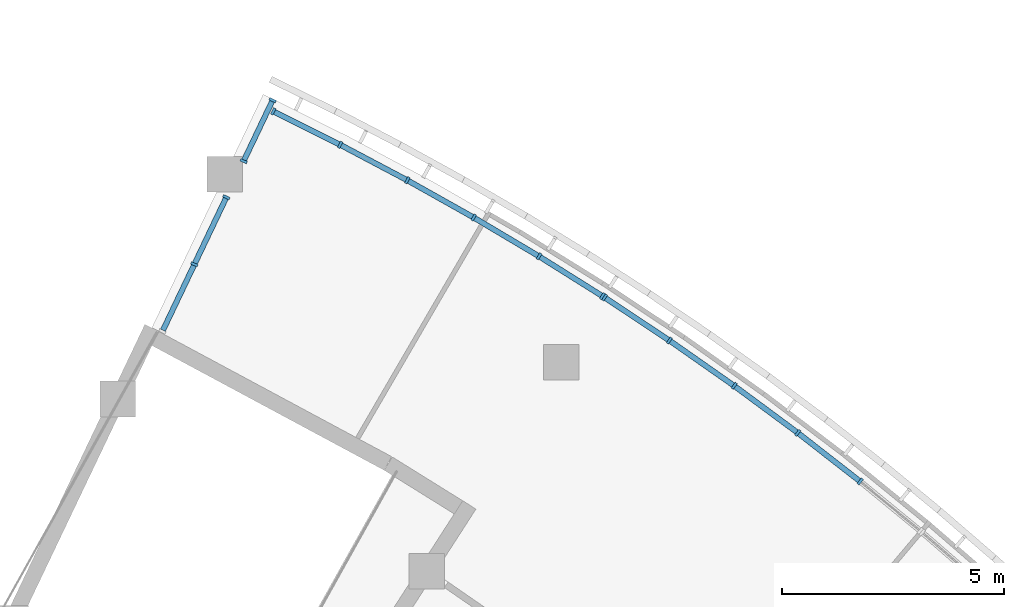
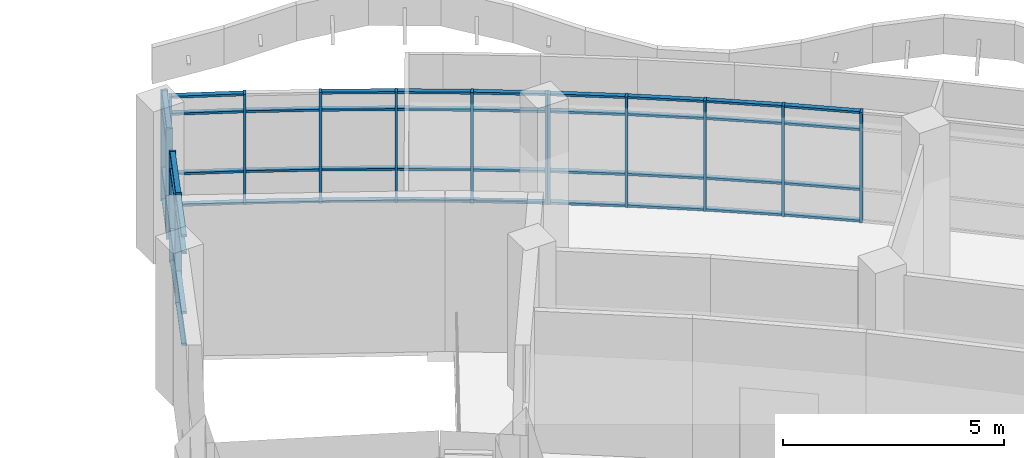
# One storey, part 15 of 137: 62 members, 4 elements without a shape of their own.
"""IFC4 building model written with IfcOpenShell, lengths in metres."""

from ifc_helpers import new_model, si_unit, direction, frame, origin, origin_2d, place, context, subcontext, project, spatial, rectangle, extrude, material, material_profile, profile_set, type_object, element, aggregate, save


model = new_model("IFC4")

# Units and contexts
model_context = context("Model", 3, precision=1e-05, world=origin(), true_north=direction((0.0, 1.0)))
body_context = subcontext(model_context, "Body", "Model", "MODEL_VIEW")
ifc_project = project(units=[si_unit("LENGTHUNIT", "METRE"), si_unit("AREAUNIT", "SQUARE_METRE"), si_unit("VOLUMEUNIT", "CUBIC_METRE"), si_unit("PLANEANGLEUNIT", "RADIAN"), si_unit("MASSUNIT", "GRAM", prefix="KILO")], contexts=[model_context])

# Site, building, storey
site_placement = place(None, origin())
site = spatial("IfcSite", under=ifc_project, at=site_placement, CompositionType="ELEMENT")
building_placement = place(site_placement, origin())
building = spatial("IfcBuilding", under=site, at=building_placement, Name="Bougainvillea Quay General Hospital", CompositionType="ELEMENT")
storey_placement = place(building_placement, frame((0.0, 0.0, 16.800048828125)))
storey = spatial("IfcBuildingStorey", under=building, at=storey_placement, Name="L03", CompositionType="ELEMENT", Elevation=16.800048828125)

# Curtain wall, members
ifc_material_1 = material(Name="Aluminium curtain wall system, powder-coated glazed", Category="aluminium")
curtain_wall_type_1 = type_object("IfcCurtainWallType", Name="Unitised curtain wall CW-2100", PredefinedType="NOTDEFINED", material=ifc_material_1)
curtain_wall_1_placement = place(storey_placement, origin())
curtain_wall_1 = element("IfcCurtainWall", 1, at=curtain_wall_1_placement, inside=storey, type_object=curtain_wall_type_1, Name="CW-E01 a10b0", PredefinedType="NOTDEFINED")
ifc_material_2 = material(Name="Aluminium mullion, powder-coated charcoal", Category="aluminium")
ifc_material_profile_1 = material_profile(ifc_material_2, rectangle(XDim=0.159912109375, YDim=0.06005859375, at=origin_2d()))
ifc_profile_set_1 = profile_set([ifc_material_profile_1], Name="Aluminium mullion, powder-coated charcoal")
member_type_1 = type_object("IfcMemberType", Name="Curtain wall mullion 160x60", PredefinedType="MULLION", material=ifc_profile_set_1)
member_1_placement = place(storey_placement, frame((139.560791015625, 84.795654296875, 0.0), z_axis=(0.0, 0.0, 1.0), x_axis=(0.445913549593, 0.895076033803, 0.0)))
member_1 = element("IfcMember", 2, at=member_1_placement, type_object=member_type_1, Name="CW-E01 mullion 1", PredefinedType="MULLION", context=body_context, shape_type="SweptSolid", body=[
    extrude(rectangle(XDim=0.159912109375, YDim=0.06005859375, at=origin_2d()), origin(), (0.0, 0.0, 1.0), 3.050048828125),
])
member_2_placement = place(storey_placement, frame((141.066650390625, 84.04541015625, 0.0), z_axis=(0.0, 0.0, 1.0), x_axis=(0.456867508547, 0.889534754596, 0.0)))
member_2 = element("IfcMember", 3, at=member_2_placement, type_object=member_type_1, Name="CW-E01 mullion 2", PredefinedType="MULLION", context=body_context, shape_type="SweptSolid", body=[
    extrude(rectangle(XDim=0.159912109375, YDim=0.06005859375, at=origin_2d()), origin(), (0.0, 0.0, 1.0), 3.050048828125),
])
member_3_placement = place(storey_placement, frame((142.580322265625, 83.244384765625, 0.0), z_axis=(0.0, 0.0, 1.0), x_axis=(0.478567243187, 0.878050906126, 0.0)))
member_3 = element("IfcMember", 4, at=member_3_placement, type_object=member_type_1, Name="CW-E01 mullion 3", PredefinedType="MULLION", context=body_context, shape_type="SweptSolid", body=[
    extrude(rectangle(XDim=0.159912109375, YDim=0.06005859375, at=origin_2d()), origin(), (0.0, 0.0, 1.0), 3.050048828125),
])
member_4_placement = place(storey_placement, frame((144.07373046875, 82.406494140625, 0.0), z_axis=(0.0, 0.0, 1.0), x_axis=(0.499978517932, 0.866037806107, 0.0)))
member_4 = element("IfcMember", 5, at=member_4_placement, type_object=member_type_1, Name="CW-E01 mullion 4", PredefinedType="MULLION", context=body_context, shape_type="SweptSolid", body=[
    extrude(rectangle(XDim=0.159912109375, YDim=0.06005859375, at=origin_2d()), origin(), (0.0, 0.0, 1.0), 3.050048828125),
])
member_5_placement = place(storey_placement, frame((145.546142578125, 81.531982421875, 0.0), z_axis=(0.0, 0.0, 1.0), x_axis=(0.521088427011, 0.853502695505, 0.0)))
member_5 = element("IfcMember", 6, at=member_5_placement, type_object=member_type_1, Name="CW-E01 mullion 5", PredefinedType="MULLION", context=body_context, shape_type="SweptSolid", body=[
    extrude(rectangle(XDim=0.159912109375, YDim=0.06005859375, at=origin_2d()), origin(), (0.0, 0.0, 1.0), 3.050048828125),
])
member_6_placement = place(storey_placement, frame((146.97119140625, 80.6376953125, 0.0), z_axis=(0.0, 0.0, 1.0), x_axis=(0.531526385817, 0.847041735206, 0.0)))
member_6 = element("IfcMember", 7, at=member_6_placement, type_object=member_type_1, Name="CW-E01 mullion 6", PredefinedType="MULLION", context=body_context, shape_type="SweptSolid", body=[
    extrude(rectangle(XDim=0.159912109375, YDim=0.06005859375, at=origin_2d()), origin(), (0.0, 0.0, 1.0), 3.050048828125),
])

curtain_wall_2_placement = place(storey_placement, origin())
curtain_wall_2 = element("IfcCurtainWall", 8, at=curtain_wall_2_placement, inside=storey, type_object=curtain_wall_type_1, Name="CW-E02 a10b1", PredefinedType="NOTDEFINED")
member_7_placement = place(storey_placement, frame((147.021484375, 80.605224609375, 0.0), z_axis=(0.0, 0.0, 1.0), x_axis=(0.552565563465, 0.833469434396, 0.0)))
member_7 = element("IfcMember", 9, at=member_7_placement, type_object=member_type_1, Name="CW-E02 mullion 1", PredefinedType="MULLION", context=body_context, shape_type="SweptSolid", body=[
    extrude(rectangle(XDim=0.159912109375, YDim=0.06005859375, at=origin_2d()), origin(), (0.0, 0.0, 1.0), 3.050048828125),
])
member_8_placement = place(storey_placement, frame((148.48046875, 79.63818359375, 0.0), z_axis=(0.0, 0.0, 1.0), x_axis=(0.56315688844, 0.826349997884, 0.0)))
member_8 = element("IfcMember", 10, at=member_8_placement, type_object=member_type_1, Name="CW-E02 mullion 2", PredefinedType="MULLION", context=body_context, shape_type="SweptSolid", body=[
    extrude(rectangle(XDim=0.159912109375, YDim=0.06005859375, at=origin_2d()), origin(), (0.0, 0.0, 1.0), 3.050048828125),
])
member_9_placement = place(storey_placement, frame((149.9384765625, 78.616943359375, 0.0), z_axis=(0.0, 0.0, 1.0), x_axis=(0.584062676911, 0.811708561886, 0.0)))
member_9 = element("IfcMember", 11, at=member_9_placement, type_object=member_type_1, Name="CW-E02 mullion 3", PredefinedType="MULLION", context=body_context, shape_type="SweptSolid", body=[
    extrude(rectangle(XDim=0.159912109375, YDim=0.06005859375, at=origin_2d()), origin(), (0.0, 0.0, 1.0), 3.050048828125),
])
member_10_placement = place(storey_placement, frame((151.3701171875, 77.558837890625, 0.0), z_axis=(0.0, 0.0, 1.0), x_axis=(0.604587993148, 0.796538359743, 0.0)))
member_10 = element("IfcMember", 12, at=member_10_placement, type_object=member_type_1, Name="CW-E02 mullion 4", PredefinedType="MULLION", context=body_context, shape_type="SweptSolid", body=[
    extrude(rectangle(XDim=0.159912109375, YDim=0.06005859375, at=origin_2d()), origin(), (0.0, 0.0, 1.0), 3.050048828125),
])
member_11_placement = place(storey_placement, frame((152.7744140625, 76.46435546875, 0.0), z_axis=(0.0, 0.0, 1.0), x_axis=(0.624719466473, 0.780849273682, 0.0)))
member_11 = element("IfcMember", 13, at=member_11_placement, type_object=member_type_1, Name="CW-E02 mullion 5", PredefinedType="MULLION", context=body_context, shape_type="SweptSolid", body=[
    extrude(rectangle(XDim=0.159912109375, YDim=0.06005859375, at=origin_2d()), origin(), (0.0, 0.0, 1.0), 3.050048828125),
])

curtain_wall_type_2 = type_object("IfcCurtainWallType", Name="Unitised curtain wall CW-1580", PredefinedType="NOTDEFINED", material=ifc_material_1)
curtain_wall_3_placement = place(storey_placement, origin())
curtain_wall_3 = element("IfcCurtainWall", 14, at=curtain_wall_3_placement, inside=storey, type_object=curtain_wall_type_2, Name="CW-AE 00", PredefinedType="NOTDEFINED")
member_12_placement = place(storey_placement, frame((139.548828125, 85.04638671875, 0.0), z_axis=(0.0, 0.0, 1.0), x_axis=(0.902578440897, -0.430525444112, 0.0)))
member_12 = element("IfcMember", 15, at=member_12_placement, type_object=member_type_1, Name="CW-AE mullion 1", PredefinedType="MULLION", context=body_context, shape_type="SweptSolid", body=[
    extrude(rectangle(XDim=0.159912109375, YDim=0.06005859375, at=origin_2d()), origin(), (0.0, 0.0, 1.0), 3.050048828125),
])
member_13_placement = place(storey_placement, frame((138.894287109375, 83.674560546875, 0.0), z_axis=(0.0, 0.0, 1.0), x_axis=(0.902578440897, -0.430525444112, 0.0)))
member_13 = element("IfcMember", 16, at=member_13_placement, type_object=member_type_1, Name="CW-AE mullion 2", PredefinedType="MULLION", context=body_context, shape_type="SweptSolid", body=[
    extrude(rectangle(XDim=0.159912109375, YDim=0.06005859375, at=origin_2d()), origin(), (0.0, 0.0, 1.0), 3.050048828125),
])

curtain_wall_type_3 = type_object("IfcCurtainWallType", Name="Unitised curtain wall CW-1703", PredefinedType="NOTDEFINED", material=ifc_material_1)
curtain_wall_4_placement = place(storey_placement, origin())
curtain_wall_4 = element("IfcCurtainWall", 17, at=curtain_wall_4_placement, inside=storey, type_object=curtain_wall_type_3, Name="CW-AE 01", PredefinedType="NOTDEFINED")
member_14_placement = place(storey_placement, frame((138.5068359375, 82.8623046875, 0.0), z_axis=(0.0, 0.0, 1.0), x_axis=(0.902578440897, -0.430525444112, 0.0)))
member_14 = element("IfcMember", 18, at=member_14_placement, type_object=member_type_1, Name="CW-AE mullion 1", PredefinedType="MULLION", context=body_context, shape_type="SweptSolid", body=[
    extrude(rectangle(XDim=0.159912109375, YDim=0.06005859375, at=origin_2d()), origin(), (0.0, 0.0, 1.0), 3.050048828125),
])
member_15_placement = place(storey_placement, frame((137.786865234375, 81.352294921875, 0.0), z_axis=(0.0, 0.0, 1.0), x_axis=(0.902578440897, -0.430525444112, 0.0)))
member_15 = element("IfcMember", 19, at=member_15_placement, type_object=member_type_1, Name="CW-AE mullion 2", PredefinedType="MULLION", context=body_context, shape_type="SweptSolid", body=[
    extrude(rectangle(XDim=0.159912109375, YDim=0.06005859375, at=origin_2d()), origin(), (0.0, 0.0, 1.0), 3.050048828125),
])

# Member
ifc_material_3 = material(Name="Aluminium transom, powder-coated charcoal", Category="aluminium")
ifc_material_profile_2 = material_profile(ifc_material_3, rectangle(XDim=0.1201171875, YDim=0.06005859375, at=origin_2d()))
ifc_profile_set_2 = profile_set([ifc_material_profile_2], Name="Aluminium transom, powder-coated charcoal")
member_type_2 = type_object("IfcMemberType", Name="Curtain wall transom 120x60", PredefinedType="USERDEFINED", material=ifc_profile_set_2)
member_16_placement = place(storey_placement, frame((139.587646484375, 84.7822265625, 0.030029296875), z_axis=(0.895028282909, -0.44600938644, 0.0), x_axis=(0.44600938644, 0.895028282909, 0.0)))
member_16 = element("IfcMember", 20, at=member_16_placement, type_object=member_type_2, Name="CW-E01 transom 1.1", ObjectType="TRANSOM", PredefinedType="USERDEFINED", context=body_context, shape_type="SweptSolid", body=[
    extrude(rectangle(XDim=0.1201171875, YDim=0.06005859375, at=origin_2d()), origin(), (0.0, 0.0, 1.0), 1.62255859375),
])

member_17_placement = place(storey_placement, frame((139.587646484375, 84.7822265625, 0.89990234375), z_axis=(0.895028282909, -0.44600938644, 0.0), x_axis=(0.44600938644, 0.895028282909, 0.0)))
member_17 = element("IfcMember", 21, at=member_17_placement, type_object=member_type_2, Name="CW-E01 transom 1.2", ObjectType="TRANSOM", PredefinedType="USERDEFINED", context=body_context, shape_type="SweptSolid", body=[
    extrude(rectangle(XDim=0.1201171875, YDim=0.06005859375, at=origin_2d()), origin(), (0.0, 0.0, 1.0), 1.62255859375),
])

member_18_placement = place(storey_placement, frame((139.587646484375, 84.7822265625, 2.550048828125), z_axis=(0.895028282909, -0.44600938644, 0.0), x_axis=(0.44600938644, 0.895028282909, 0.0)))
member_18 = element("IfcMember", 22, at=member_18_placement, type_object=member_type_2, Name="CW-E01 transom 1.3", ObjectType="TRANSOM", PredefinedType="USERDEFINED", context=body_context, shape_type="SweptSolid", body=[
    extrude(rectangle(XDim=0.1201171875, YDim=0.06005859375, at=origin_2d()), origin(), (0.0, 0.0, 1.0), 1.62255859375),
])

member_19_placement = place(storey_placement, frame((139.587646484375, 84.7822265625, 3.02001953125), z_axis=(0.895028282909, -0.44600938644, 0.0), x_axis=(0.44600938644, 0.895028282909, 0.0)))
member_19 = element("IfcMember", 23, at=member_19_placement, type_object=member_type_2, Name="CW-E01 transom 1.4", ObjectType="TRANSOM", PredefinedType="USERDEFINED", context=body_context, shape_type="SweptSolid", body=[
    extrude(rectangle(XDim=0.1201171875, YDim=0.06005859375, at=origin_2d()), origin(), (0.0, 0.0, 1.0), 1.62255859375),
])

member_20_placement = place(storey_placement, frame((141.09326171875, 84.03125, 0.030029296875), z_axis=(0.883845412695, -0.467779100066, 0.0), x_axis=(0.467779100066, 0.883845412695, 0.0)))
member_20 = element("IfcMember", 24, at=member_20_placement, type_object=member_type_2, Name="CW-E01 transom 2.1", ObjectType="TRANSOM", PredefinedType="USERDEFINED", context=body_context, shape_type="SweptSolid", body=[
    extrude(rectangle(XDim=0.1201171875, YDim=0.06005859375, at=origin_2d()), origin(), (0.0, 0.0, 1.0), 1.65234375),
])

member_21_placement = place(storey_placement, frame((141.09326171875, 84.03125, 0.89990234375), z_axis=(0.883845412695, -0.467779100066, 0.0), x_axis=(0.467779100066, 0.883845412695, 0.0)))
member_21 = element("IfcMember", 25, at=member_21_placement, type_object=member_type_2, Name="CW-E01 transom 2.2", ObjectType="TRANSOM", PredefinedType="USERDEFINED", context=body_context, shape_type="SweptSolid", body=[
    extrude(rectangle(XDim=0.1201171875, YDim=0.06005859375, at=origin_2d()), origin(), (0.0, 0.0, 1.0), 1.65234375),
])

member_22_placement = place(storey_placement, frame((141.09326171875, 84.03125, 2.550048828125), z_axis=(0.883845412695, -0.467779100066, 0.0), x_axis=(0.467779100066, 0.883845412695, 0.0)))
member_22 = element("IfcMember", 26, at=member_22_placement, type_object=member_type_2, Name="CW-E01 transom 2.3", ObjectType="TRANSOM", PredefinedType="USERDEFINED", context=body_context, shape_type="SweptSolid", body=[
    extrude(rectangle(XDim=0.1201171875, YDim=0.06005859375, at=origin_2d()), origin(), (0.0, 0.0, 1.0), 1.65234375),
])

member_23_placement = place(storey_placement, frame((142.6064453125, 83.229736328125, 0.030029296875), z_axis=(0.872107674889, -0.489314013084, 0.0), x_axis=(0.489314013084, 0.872107674889, 0.0)))
member_23 = element("IfcMember", 27, at=member_23_placement, type_object=member_type_2, Name="CW-E01 transom 3.1", ObjectType="TRANSOM", PredefinedType="USERDEFINED", context=body_context, shape_type="SweptSolid", body=[
    extrude(rectangle(XDim=0.1201171875, YDim=0.06005859375, at=origin_2d()), origin(), (0.0, 0.0, 1.0), 1.652587890625),
])

member_24_placement = place(storey_placement, frame((142.6064453125, 83.229736328125, 0.89990234375), z_axis=(0.872107674889, -0.489314013084, 0.0), x_axis=(0.489314013084, 0.872107674889, 0.0)))
member_24 = element("IfcMember", 28, at=member_24_placement, type_object=member_type_2, Name="CW-E01 transom 3.2", ObjectType="TRANSOM", PredefinedType="USERDEFINED", context=body_context, shape_type="SweptSolid", body=[
    extrude(rectangle(XDim=0.1201171875, YDim=0.06005859375, at=origin_2d()), origin(), (0.0, 0.0, 1.0), 1.652587890625),
])

member_25_placement = place(storey_placement, frame((142.6064453125, 83.229736328125, 2.550048828125), z_axis=(0.872107674889, -0.489314013084, 0.0), x_axis=(0.489314013084, 0.872107674889, 0.0)))
member_25 = element("IfcMember", 29, at=member_25_placement, type_object=member_type_2, Name="CW-E01 transom 3.3", ObjectType="TRANSOM", PredefinedType="USERDEFINED", context=body_context, shape_type="SweptSolid", body=[
    extrude(rectangle(XDim=0.1201171875, YDim=0.06005859375, at=origin_2d()), origin(), (0.0, 0.0, 1.0), 1.652587890625),
])

member_26_placement = place(storey_placement, frame((142.6064453125, 83.229736328125, 3.02001953125), z_axis=(0.872107674889, -0.489314013084, 0.0), x_axis=(0.489314013084, 0.872107674889, 0.0)))
member_26 = element("IfcMember", 30, at=member_26_placement, type_object=member_type_2, Name="CW-E01 transom 3.4", ObjectType="TRANSOM", PredefinedType="USERDEFINED", context=body_context, shape_type="SweptSolid", body=[
    extrude(rectangle(XDim=0.1201171875, YDim=0.06005859375, at=origin_2d()), origin(), (0.0, 0.0, 1.0), 1.652587890625),
])

member_27_placement = place(storey_placement, frame((144.099365234375, 82.39111328125, 0.030029296875), z_axis=(0.859830422231, -0.510579714644, 0.0), x_axis=(0.510579714644, 0.859830422231, 0.0)))
member_27 = element("IfcMember", 31, at=member_27_placement, type_object=member_type_2, Name="CW-E01 transom 4.1", ObjectType="TRANSOM", PredefinedType="USERDEFINED", context=body_context, shape_type="SweptSolid", body=[
    extrude(rectangle(XDim=0.1201171875, YDim=0.06005859375, at=origin_2d()), origin(), (0.0, 0.0, 1.0), 1.652587890625),
])

member_28_placement = place(storey_placement, frame((144.099365234375, 82.39111328125, 0.89990234375), z_axis=(0.859830422231, -0.510579714644, 0.0), x_axis=(0.510579714644, 0.859830422231, 0.0)))
member_28 = element("IfcMember", 32, at=member_28_placement, type_object=member_type_2, Name="CW-E01 transom 4.2", ObjectType="TRANSOM", PredefinedType="USERDEFINED", context=body_context, shape_type="SweptSolid", body=[
    extrude(rectangle(XDim=0.1201171875, YDim=0.06005859375, at=origin_2d()), origin(), (0.0, 0.0, 1.0), 1.652587890625),
])

member_29_placement = place(storey_placement, frame((144.099365234375, 82.39111328125, 2.550048828125), z_axis=(0.859830422231, -0.510579714644, 0.0), x_axis=(0.510579714644, 0.859830422231, 0.0)))
member_29 = element("IfcMember", 33, at=member_29_placement, type_object=member_type_2, Name="CW-E01 transom 4.3", ObjectType="TRANSOM", PredefinedType="USERDEFINED", context=body_context, shape_type="SweptSolid", body=[
    extrude(rectangle(XDim=0.1201171875, YDim=0.06005859375, at=origin_2d()), origin(), (0.0, 0.0, 1.0), 1.652587890625),
])

member_30_placement = place(storey_placement, frame((144.099365234375, 82.39111328125, 3.02001953125), z_axis=(0.859830422231, -0.510579714644, 0.0), x_axis=(0.510579714644, 0.859830422231, 0.0)))
member_30 = element("IfcMember", 34, at=member_30_placement, type_object=member_type_2, Name="CW-E01 transom 4.4", ObjectType="TRANSOM", PredefinedType="USERDEFINED", context=body_context, shape_type="SweptSolid", body=[
    extrude(rectangle(XDim=0.1201171875, YDim=0.06005859375, at=origin_2d()), origin(), (0.0, 0.0, 1.0), 1.652587890625),
])

member_31_placement = place(storey_placement, frame((145.571533203125, 81.51611328125, 0.030029296875), z_axis=(0.847058580923, -0.531499539496, 0.0), x_axis=(0.531499539496, 0.847058580923, 0.0)))
member_31 = element("IfcMember", 35, at=member_31_placement, type_object=member_type_2, Name="CW-E01 transom 5.1", ObjectType="TRANSOM", PredefinedType="USERDEFINED", context=body_context, shape_type="SweptSolid", body=[
    extrude(rectangle(XDim=0.1201171875, YDim=0.06005859375, at=origin_2d()), origin(), (0.0, 0.0, 1.0), 1.622314453125),
])

member_32_placement = place(storey_placement, frame((145.571533203125, 81.51611328125, 0.89990234375), z_axis=(0.847058580923, -0.531499539496, 0.0), x_axis=(0.531499539496, 0.847058580923, 0.0)))
member_32 = element("IfcMember", 36, at=member_32_placement, type_object=member_type_2, Name="CW-E01 transom 5.2", ObjectType="TRANSOM", PredefinedType="USERDEFINED", context=body_context, shape_type="SweptSolid", body=[
    extrude(rectangle(XDim=0.1201171875, YDim=0.06005859375, at=origin_2d()), origin(), (0.0, 0.0, 1.0), 1.622314453125),
])

member_33_placement = place(storey_placement, frame((145.571533203125, 81.51611328125, 2.550048828125), z_axis=(0.847058580923, -0.531499539496, 0.0), x_axis=(0.531499539496, 0.847058580923, 0.0)))
member_33 = element("IfcMember", 37, at=member_33_placement, type_object=member_type_2, Name="CW-E01 transom 5.3", ObjectType="TRANSOM", PredefinedType="USERDEFINED", context=body_context, shape_type="SweptSolid", body=[
    extrude(rectangle(XDim=0.1201171875, YDim=0.06005859375, at=origin_2d()), origin(), (0.0, 0.0, 1.0), 1.622314453125),
])

member_34_placement = place(storey_placement, frame((145.571533203125, 81.51611328125, 3.02001953125), z_axis=(0.847058580923, -0.531499539496, 0.0), x_axis=(0.531499539496, 0.847058580923, 0.0)))
member_34 = element("IfcMember", 38, at=member_34_placement, type_object=member_type_2, Name="CW-E01 transom 5.4", ObjectType="TRANSOM", PredefinedType="USERDEFINED", context=body_context, shape_type="SweptSolid", body=[
    extrude(rectangle(XDim=0.1201171875, YDim=0.06005859375, at=origin_2d()), origin(), (0.0, 0.0, 1.0), 1.622314453125),
])

aggregate(curtain_wall_1, [member_1, member_2, member_3, member_4, member_5, member_6, member_16, member_17, member_18, member_19, member_20, member_21, member_22, member_23, member_24, member_25, member_26, member_27, member_28, member_29, member_30, member_31, member_32, member_33, member_34])

member_35_placement = place(storey_placement, frame((147.046630859375, 80.588623046875, 0.030029296875), z_axis=(0.833491999864, -0.55253152504, 0.0), x_axis=(0.55253152504, 0.833491999864, 0.0)))
member_35 = element("IfcMember", 39, at=member_35_placement, type_object=member_type_2, Name="CW-E02 transom 1.1", ObjectType="TRANSOM", PredefinedType="USERDEFINED", context=body_context, shape_type="SweptSolid", body=[
    extrude(rectangle(XDim=0.1201171875, YDim=0.06005859375, at=origin_2d()), origin(), (0.0, 0.0, 1.0), 1.690185546875),
])

member_36_placement = place(storey_placement, frame((147.046630859375, 80.588623046875, 0.89990234375), z_axis=(0.833491999864, -0.55253152504, 0.0), x_axis=(0.55253152504, 0.833491999864, 0.0)))
member_36 = element("IfcMember", 40, at=member_36_placement, type_object=member_type_2, Name="CW-E02 transom 1.2", ObjectType="TRANSOM", PredefinedType="USERDEFINED", context=body_context, shape_type="SweptSolid", body=[
    extrude(rectangle(XDim=0.1201171875, YDim=0.06005859375, at=origin_2d()), origin(), (0.0, 0.0, 1.0), 1.690185546875),
])

member_37_placement = place(storey_placement, frame((147.046630859375, 80.588623046875, 2.550048828125), z_axis=(0.833491999864, -0.55253152504, 0.0), x_axis=(0.55253152504, 0.833491999864, 0.0)))
member_37 = element("IfcMember", 41, at=member_37_placement, type_object=member_type_2, Name="CW-E02 transom 1.3", ObjectType="TRANSOM", PredefinedType="USERDEFINED", context=body_context, shape_type="SweptSolid", body=[
    extrude(rectangle(XDim=0.1201171875, YDim=0.06005859375, at=origin_2d()), origin(), (0.0, 0.0, 1.0), 1.690185546875),
])

member_38_placement = place(storey_placement, frame((147.046630859375, 80.588623046875, 3.02001953125), z_axis=(0.833491999864, -0.55253152504, 0.0), x_axis=(0.55253152504, 0.833491999864, 0.0)))
member_38 = element("IfcMember", 42, at=member_38_placement, type_object=member_type_2, Name="CW-E02 transom 1.4", ObjectType="TRANSOM", PredefinedType="USERDEFINED", context=body_context, shape_type="SweptSolid", body=[
    extrude(rectangle(XDim=0.1201171875, YDim=0.06005859375, at=origin_2d()), origin(), (0.0, 0.0, 1.0), 1.690185546875),
])

member_39_placement = place(storey_placement, frame((148.5048828125, 79.620849609375, 0.030029296875), z_axis=(0.819125233044, -0.573614724872, 0.0), x_axis=(0.573614724872, 0.819125233044, 0.0)))
member_39 = element("IfcMember", 43, at=member_39_placement, type_object=member_type_2, Name="CW-E02 transom 2.1", ObjectType="TRANSOM", PredefinedType="USERDEFINED", context=body_context, shape_type="SweptSolid", body=[
    extrude(rectangle(XDim=0.1201171875, YDim=0.06005859375, at=origin_2d()), origin(), (0.0, 0.0, 1.0), 1.720458984375),
])

member_40_placement = place(storey_placement, frame((148.5048828125, 79.620849609375, 0.89990234375), z_axis=(0.819125233044, -0.573614724872, 0.0), x_axis=(0.573614724872, 0.819125233044, 0.0)))
member_40 = element("IfcMember", 44, at=member_40_placement, type_object=member_type_2, Name="CW-E02 transom 2.2", ObjectType="TRANSOM", PredefinedType="USERDEFINED", context=body_context, shape_type="SweptSolid", body=[
    extrude(rectangle(XDim=0.1201171875, YDim=0.06005859375, at=origin_2d()), origin(), (0.0, 0.0, 1.0), 1.720458984375),
])

member_41_placement = place(storey_placement, frame((148.5048828125, 79.620849609375, 2.550048828125), z_axis=(0.819125233044, -0.573614724872, 0.0), x_axis=(0.573614724872, 0.819125233044, 0.0)))
member_41 = element("IfcMember", 45, at=member_41_placement, type_object=member_type_2, Name="CW-E02 transom 2.3", ObjectType="TRANSOM", PredefinedType="USERDEFINED", context=body_context, shape_type="SweptSolid", body=[
    extrude(rectangle(XDim=0.1201171875, YDim=0.06005859375, at=origin_2d()), origin(), (0.0, 0.0, 1.0), 1.720458984375),
])

member_42_placement = place(storey_placement, frame((148.5048828125, 79.620849609375, 3.02001953125), z_axis=(0.819125233044, -0.573614724872, 0.0), x_axis=(0.573614724872, 0.819125233044, 0.0)))
member_42 = element("IfcMember", 46, at=member_42_placement, type_object=member_type_2, Name="CW-E02 transom 2.4", ObjectType="TRANSOM", PredefinedType="USERDEFINED", context=body_context, shape_type="SweptSolid", body=[
    extrude(rectangle(XDim=0.1201171875, YDim=0.06005859375, at=origin_2d()), origin(), (0.0, 0.0, 1.0), 1.720458984375),
])

member_43_placement = place(storey_placement, frame((149.962646484375, 78.59912109375, 0.030029296875), z_axis=(0.804170242173, -0.594399042397, 0.0), x_axis=(0.594399042397, 0.804170242173, 0.0)))
member_43 = element("IfcMember", 47, at=member_43_placement, type_object=member_type_2, Name="CW-E02 transom 3.1", ObjectType="TRANSOM", PredefinedType="USERDEFINED", context=body_context, shape_type="SweptSolid", body=[
    extrude(rectangle(XDim=0.1201171875, YDim=0.06005859375, at=origin_2d()), origin(), (0.0, 0.0, 1.0), 1.72021484375),
])

member_44_placement = place(storey_placement, frame((149.962646484375, 78.59912109375, 0.89990234375), z_axis=(0.804170242173, -0.594399042397, 0.0), x_axis=(0.594399042397, 0.804170242173, 0.0)))
member_44 = element("IfcMember", 48, at=member_44_placement, type_object=member_type_2, Name="CW-E02 transom 3.2", ObjectType="TRANSOM", PredefinedType="USERDEFINED", context=body_context, shape_type="SweptSolid", body=[
    extrude(rectangle(XDim=0.1201171875, YDim=0.06005859375, at=origin_2d()), origin(), (0.0, 0.0, 1.0), 1.72021484375),
])

member_45_placement = place(storey_placement, frame((149.962646484375, 78.59912109375, 2.550048828125), z_axis=(0.804170242173, -0.594399042397, 0.0), x_axis=(0.594399042397, 0.804170242173, 0.0)))
member_45 = element("IfcMember", 49, at=member_45_placement, type_object=member_type_2, Name="CW-E02 transom 3.3", ObjectType="TRANSOM", PredefinedType="USERDEFINED", context=body_context, shape_type="SweptSolid", body=[
    extrude(rectangle(XDim=0.1201171875, YDim=0.06005859375, at=origin_2d()), origin(), (0.0, 0.0, 1.0), 1.72021484375),
])

member_46_placement = place(storey_placement, frame((149.962646484375, 78.59912109375, 3.02001953125), z_axis=(0.804170242173, -0.594399042397, 0.0), x_axis=(0.594399042397, 0.804170242173, 0.0)))
member_46 = element("IfcMember", 50, at=member_46_placement, type_object=member_type_2, Name="CW-E02 transom 3.4", ObjectType="TRANSOM", PredefinedType="USERDEFINED", context=body_context, shape_type="SweptSolid", body=[
    extrude(rectangle(XDim=0.1201171875, YDim=0.06005859375, at=origin_2d()), origin(), (0.0, 0.0, 1.0), 1.72021484375),
])

member_47_placement = place(storey_placement, frame((151.393798828125, 77.540283203125, 0.030029296875), z_axis=(0.788794034854, -0.614657604345, 0.0), x_axis=(0.614657604345, 0.788794034854, 0.0)))
member_47 = element("IfcMember", 51, at=member_47_placement, type_object=member_type_2, Name="CW-E02 transom 4.1", ObjectType="TRANSOM", PredefinedType="USERDEFINED", context=body_context, shape_type="SweptSolid", body=[
    extrude(rectangle(XDim=0.1201171875, YDim=0.06005859375, at=origin_2d()), origin(), (0.0, 0.0, 1.0), 1.72021484375),
])

member_48_placement = place(storey_placement, frame((151.393798828125, 77.540283203125, 0.89990234375), z_axis=(0.788794034854, -0.614657604345, 0.0), x_axis=(0.614657604345, 0.788794034854, 0.0)))
member_48 = element("IfcMember", 52, at=member_48_placement, type_object=member_type_2, Name="CW-E02 transom 4.2", ObjectType="TRANSOM", PredefinedType="USERDEFINED", context=body_context, shape_type="SweptSolid", body=[
    extrude(rectangle(XDim=0.1201171875, YDim=0.06005859375, at=origin_2d()), origin(), (0.0, 0.0, 1.0), 1.72021484375),
])

member_49_placement = place(storey_placement, frame((151.393798828125, 77.540283203125, 2.550048828125), z_axis=(0.788794034854, -0.614657604345, 0.0), x_axis=(0.614657604345, 0.788794034854, 0.0)))
member_49 = element("IfcMember", 53, at=member_49_placement, type_object=member_type_2, Name="CW-E02 transom 4.3", ObjectType="TRANSOM", PredefinedType="USERDEFINED", context=body_context, shape_type="SweptSolid", body=[
    extrude(rectangle(XDim=0.1201171875, YDim=0.06005859375, at=origin_2d()), origin(), (0.0, 0.0, 1.0), 1.72021484375),
])

member_50_placement = place(storey_placement, frame((151.393798828125, 77.540283203125, 3.02001953125), z_axis=(0.788794034854, -0.614657604345, 0.0), x_axis=(0.614657604345, 0.788794034854, 0.0)))
member_50 = element("IfcMember", 54, at=member_50_placement, type_object=member_type_2, Name="CW-E02 transom 4.4", ObjectType="TRANSOM", PredefinedType="USERDEFINED", context=body_context, shape_type="SweptSolid", body=[
    extrude(rectangle(XDim=0.1201171875, YDim=0.06005859375, at=origin_2d()), origin(), (0.0, 0.0, 1.0), 1.72021484375),
])

aggregate(curtain_wall_2, [member_7, member_8, member_9, member_10, member_11, member_35, member_36, member_37, member_38, member_39, member_40, member_41, member_42, member_43, member_44, member_45, member_46, member_47, member_48, member_49, member_50])

member_51_placement = place(storey_placement, frame((139.535888671875, 85.019287109375, 0.030029296875), z_axis=(-0.430615048018, -0.902535694818, 0.0), x_axis=(0.902535694818, -0.430615048018, 0.0)))
member_51 = element("IfcMember", 55, at=member_51_placement, type_object=member_type_2, Name="CW-AE transom 1.1", ObjectType="TRANSOM", PredefinedType="USERDEFINED", context=body_context, shape_type="SweptSolid", body=[
    extrude(rectangle(XDim=0.1201171875, YDim=0.06005859375, at=origin_2d()), origin(), (0.0, 0.0, 1.0), 1.4599609375),
])

member_52_placement = place(storey_placement, frame((139.535888671875, 85.019287109375, 0.89990234375), z_axis=(-0.430615048018, -0.902535694818, 0.0), x_axis=(0.902535694818, -0.430615048018, 0.0)))
member_52 = element("IfcMember", 56, at=member_52_placement, type_object=member_type_2, Name="CW-AE transom 1.2", ObjectType="TRANSOM", PredefinedType="USERDEFINED", context=body_context, shape_type="SweptSolid", body=[
    extrude(rectangle(XDim=0.1201171875, YDim=0.06005859375, at=origin_2d()), origin(), (0.0, 0.0, 1.0), 1.4599609375),
])

member_53_placement = place(storey_placement, frame((139.535888671875, 85.019287109375, 2.550048828125), z_axis=(-0.430615048018, -0.902535694818, 0.0), x_axis=(0.902535694818, -0.430615048018, 0.0)))
member_53 = element("IfcMember", 57, at=member_53_placement, type_object=member_type_2, Name="CW-AE transom 1.3", ObjectType="TRANSOM", PredefinedType="USERDEFINED", context=body_context, shape_type="SweptSolid", body=[
    extrude(rectangle(XDim=0.1201171875, YDim=0.06005859375, at=origin_2d()), origin(), (0.0, 0.0, 1.0), 1.4599609375),
])

member_54_placement = place(storey_placement, frame((139.535888671875, 85.019287109375, 3.02001953125), z_axis=(-0.430615048018, -0.902535694818, 0.0), x_axis=(0.902535694818, -0.430615048018, 0.0)))
member_54 = element("IfcMember", 58, at=member_54_placement, type_object=member_type_2, Name="CW-AE transom 1.4", ObjectType="TRANSOM", PredefinedType="USERDEFINED", context=body_context, shape_type="SweptSolid", body=[
    extrude(rectangle(XDim=0.1201171875, YDim=0.06005859375, at=origin_2d()), origin(), (0.0, 0.0, 1.0), 1.4599609375),
])

aggregate(curtain_wall_3, [member_12, member_13, member_51, member_52, member_53, member_54])

member_55_placement = place(storey_placement, frame((138.493896484375, 82.835205078125, 0.030029296875), z_axis=(-0.430485805142, -0.902597347421, 0.0), x_axis=(0.902597347421, -0.430485805142, 0.0)))
member_55 = element("IfcMember", 59, at=member_55_placement, type_object=member_type_2, Name="CW-AE transom 1.1", ObjectType="TRANSOM", PredefinedType="USERDEFINED", context=body_context, shape_type="SweptSolid", body=[
    extrude(rectangle(XDim=0.1201171875, YDim=0.06005859375, at=origin_2d()), origin(), (0.0, 0.0, 1.0), 1.61279296875),
])

member_56_placement = place(storey_placement, frame((138.493896484375, 82.835205078125, 0.89990234375), z_axis=(-0.430485805142, -0.902597347421, 0.0), x_axis=(0.902597347421, -0.430485805142, 0.0)))
member_56 = element("IfcMember", 60, at=member_56_placement, type_object=member_type_2, Name="CW-AE transom 1.2", ObjectType="TRANSOM", PredefinedType="USERDEFINED", context=body_context, shape_type="SweptSolid", body=[
    extrude(rectangle(XDim=0.1201171875, YDim=0.06005859375, at=origin_2d()), origin(), (0.0, 0.0, 1.0), 1.61279296875),
])

member_57_placement = place(storey_placement, frame((138.493896484375, 82.835205078125, 2.550048828125), z_axis=(-0.430485805142, -0.902597347421, 0.0), x_axis=(0.902597347421, -0.430485805142, 0.0)))
member_57 = element("IfcMember", 61, at=member_57_placement, type_object=member_type_2, Name="CW-AE transom 1.3", ObjectType="TRANSOM", PredefinedType="USERDEFINED", context=body_context, shape_type="SweptSolid", body=[
    extrude(rectangle(XDim=0.1201171875, YDim=0.06005859375, at=origin_2d()), origin(), (0.0, 0.0, 1.0), 1.61279296875),
])

member_58_placement = place(storey_placement, frame((138.493896484375, 82.835205078125, 3.02001953125), z_axis=(-0.430485805142, -0.902597347421, 0.0), x_axis=(0.902597347421, -0.430485805142, 0.0)))
member_58 = element("IfcMember", 62, at=member_58_placement, type_object=member_type_2, Name="CW-AE transom 1.4", ObjectType="TRANSOM", PredefinedType="USERDEFINED", context=body_context, shape_type="SweptSolid", body=[
    extrude(rectangle(XDim=0.1201171875, YDim=0.06005859375, at=origin_2d()), origin(), (0.0, 0.0, 1.0), 1.61279296875),
])

member_59_placement = place(storey_placement, frame((137.77392578125, 81.3251953125, 0.030029296875), z_axis=(-0.430544626456, -0.902569290764, 0.0), x_axis=(0.902569290764, -0.430544626456, 0.0)))
member_59 = element("IfcMember", 63, at=member_59_placement, type_object=member_type_2, Name="CW-AE transom 2.1", ObjectType="TRANSOM", PredefinedType="USERDEFINED", context=body_context, shape_type="SweptSolid", body=[
    extrude(rectangle(XDim=0.1201171875, YDim=0.06005859375, at=origin_2d()), origin(), (0.0, 0.0, 1.0), 1.61279296875),
])

member_60_placement = place(storey_placement, frame((137.77392578125, 81.3251953125, 0.89990234375), z_axis=(-0.430544626456, -0.902569290764, 0.0), x_axis=(0.902569290764, -0.430544626456, 0.0)))
member_60 = element("IfcMember", 64, at=member_60_placement, type_object=member_type_2, Name="CW-AE transom 2.2", ObjectType="TRANSOM", PredefinedType="USERDEFINED", context=body_context, shape_type="SweptSolid", body=[
    extrude(rectangle(XDim=0.1201171875, YDim=0.06005859375, at=origin_2d()), origin(), (0.0, 0.0, 1.0), 1.61279296875),
])

member_61_placement = place(storey_placement, frame((137.77392578125, 81.3251953125, 2.550048828125), z_axis=(-0.430544626456, -0.902569290764, 0.0), x_axis=(0.902569290764, -0.430544626456, 0.0)))
member_61 = element("IfcMember", 65, at=member_61_placement, type_object=member_type_2, Name="CW-AE transom 2.3", ObjectType="TRANSOM", PredefinedType="USERDEFINED", context=body_context, shape_type="SweptSolid", body=[
    extrude(rectangle(XDim=0.1201171875, YDim=0.06005859375, at=origin_2d()), origin(), (0.0, 0.0, 1.0), 1.61279296875),
])

member_62_placement = place(storey_placement, frame((137.77392578125, 81.3251953125, 3.02001953125), z_axis=(-0.430544626456, -0.902569290764, 0.0), x_axis=(0.902569290764, -0.430544626456, 0.0)))
member_62 = element("IfcMember", 66, at=member_62_placement, type_object=member_type_2, Name="CW-AE transom 2.4", ObjectType="TRANSOM", PredefinedType="USERDEFINED", context=body_context, shape_type="SweptSolid", body=[
    extrude(rectangle(XDim=0.1201171875, YDim=0.06005859375, at=origin_2d()), origin(), (0.0, 0.0, 1.0), 1.61279296875),
])

aggregate(curtain_wall_4, [member_14, member_15, member_55, member_56, member_57, member_58, member_59, member_60, member_61, member_62])

save(model, "model.ifc")
